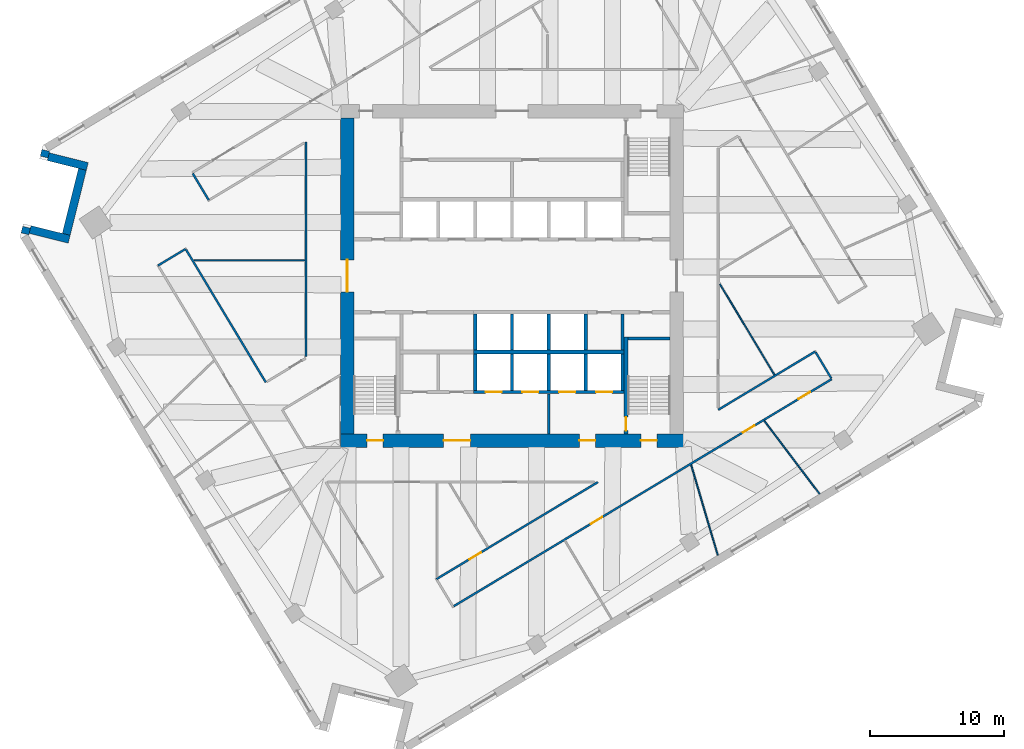
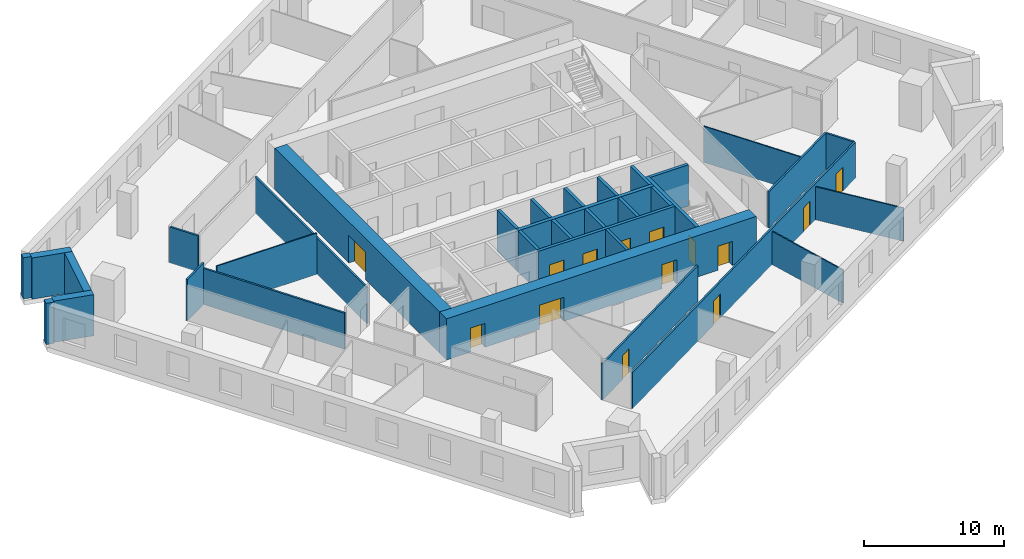
# One storey, part 7 of 14: 34 walls, 14 doors, 14 openings.
"""IFC4 building model written with IfcOpenShell, lengths in metres."""

from ifc_helpers import new_model, si_unit, direction, frame, frame_2d, origin, place, context, subcontext, project, spatial, rectangle, extrude, material, layer, layer_set, type_object, element, fill, save


model = new_model("IFC4")

# Units and contexts
model_context = context("Model", 3, precision=1e-05, world=origin(), true_north=direction((0.0, 1.0)))
body_context = subcontext(model_context, "Body", "Model", "MODEL_VIEW")
ifc_project = project(units=[si_unit("LENGTHUNIT", "METRE"), si_unit("AREAUNIT", "SQUARE_METRE"), si_unit("VOLUMEUNIT", "CUBIC_METRE"), si_unit("PLANEANGLEUNIT", "RADIAN"), si_unit("MASSUNIT", "GRAM", prefix="KILO")], contexts=[model_context])

# Site, building, storey
site_placement = place(None, origin())
site = spatial("IfcSite", under=ifc_project, at=site_placement, CompositionType="ELEMENT")
building_placement = place(site_placement, origin())
building = spatial("IfcBuilding", under=site, at=building_placement, Name="Dilmun Exchange Tower", CompositionType="ELEMENT")
storey_placement = place(building_placement, frame((0.0, 0.0, 147.699951171875)))
storey = spatial("IfcBuildingStorey", under=building, at=storey_placement, Name="L34", CompositionType="ELEMENT", Elevation=147.699951171875)

# Walls
ifc_material_1 = material(Name="Concrete C40/50", Category="concrete")
ifc_layer_1 = layer(ifc_material_1, 0.199951171875)
ifc_layer_set_1 = layer_set([ifc_layer_1], Name="Concrete C40/50")
wall_type_1 = type_object("IfcWallType", Name="Core partition wall 200", PredefinedType="PARTITIONING", material=ifc_layer_set_1)
wall_1_placement = place(storey_placement, frame((2.75, -11.794921875, 0.0), z_axis=(0.0, 0.0, 1.0), x_axis=(0.0, 1.0, 0.0)))
element("IfcWall", 1, at=wall_1_placement, inside=storey, type_object=wall_type_1, Name="L34 core partition wall 01", PredefinedType="PARTITIONING", context=body_context, shape_type="SweptSolid", body=[
    extrude(rectangle(XDim=2.989990234375, YDim=0.199951171875, at=frame_2d((1.4951171875, 0.0))), origin(), (0.0, 0.0, 1.0), 3.60009765625),
])
ifc_layer_2 = layer(ifc_material_1, 0.25)
ifc_layer_set_2 = layer_set([ifc_layer_2], Name="Concrete C40/50")
wall_type_2 = type_object("IfcWallType", Name="Core partition wall 250", PredefinedType="PARTITIONING", material=ifc_layer_set_2)
wall_2_placement = place(storey_placement, frame((8.25, -5.544921875, 0.0), z_axis=(0.0, 0.0, 1.0), x_axis=(0.0, 1.0, 0.0)))
element("IfcWall", 2, at=wall_2_placement, inside=storey, type_object=wall_type_2, Name="L34 core partition wall 07", PredefinedType="PARTITIONING", context=body_context, shape_type="SweptSolid", body=[
    extrude(rectangle(XDim=2.68994140625, YDim=0.25, at=frame_2d((1.344970703125, 0.0))), origin(), (0.0, 0.0, 1.0), 3.60009765625),
])

# Wall, openings, doors
ifc_material_2 = material(Name="Concrete C70/85", Category="concrete")
ifc_layer_3 = layer(ifc_material_2, 1.0)
ifc_layer_set_3 = layer_set([ifc_layer_3], Name="Concrete C70/85")
wall_type_3 = type_object("IfcWallType", Name="Core shear wall 1000 Concrete C70/85", PredefinedType="SHEAR", material=ifc_layer_set_3)
wall_3_placement = place(storey_placement, frame((-12.800048828125, -12.300048828125, 0.0), z_axis=(0.0, 0.0, 1.0), x_axis=(1.0, 0.0, 0.0)))
wall_3 = element("IfcWall", 3, at=wall_3_placement, inside=storey, type_object=wall_type_3, Name="L34 core shear wall S", PredefinedType="SHEAR", context=body_context, shape_type="SweptSolid", body=[
    extrude(rectangle(XDim=25.60009765625, YDim=1.0, at=frame_2d((12.800048828125, 0.0))), origin(), (0.0, 0.0, 1.0), 3.60009765625),
])
opening_1_placement = place(wall_3_placement, frame((7.699951171875, 0.0, 0.0)))
opening_1 = element("IfcOpeningElement", 4, at=opening_1_placement, cuts=wall_3, Name="Opening CD2", PredefinedType="OPENING", context=body_context, shape_type="SweptSolid", body=[
    extrude(rectangle(XDim=2.0, YDim=2.10009765625, at=frame_2d((1.0, 1.050048828125))), frame((0.0, 0.510009765625, 0.0), z_axis=(0.0, -1.0, 0.0), x_axis=(1.0, 0.0, 0.0)), (0.0, 0.0, 1.0), 1.02001953125),
])
opening_2_placement = place(wall_3_placement, frame((17.824951171875, 0.0, 0.0)))
opening_2 = element("IfcOpeningElement", 5, at=opening_2_placement, cuts=wall_3, Name="Opening CD3", PredefinedType="OPENING", context=body_context, shape_type="SweptSolid", body=[
    extrude(rectangle(XDim=1.199951171875, YDim=2.10009765625, at=frame_2d((0.60009765625, 1.050048828125))), frame((0.0, 0.510009765625, 0.0), z_axis=(0.0, -1.0, 0.0), x_axis=(1.0, 0.0, 0.0)), (0.0, 0.0, 1.0), 1.02001953125),
])
opening_3_placement = place(wall_3_placement, frame((1.97509765625, 0.0, 0.0)))
opening_3 = element("IfcOpeningElement", 6, at=opening_3_placement, cuts=wall_3, Name="Opening CD3", PredefinedType="OPENING", context=body_context, shape_type="SweptSolid", body=[
    extrude(rectangle(XDim=1.199951171875, YDim=2.10009765625, at=frame_2d((0.60009765625, 1.050048828125))), frame((0.0, 0.510009765625, 0.0), z_axis=(0.0, -1.0, 0.0), x_axis=(1.0, 0.0, 0.0)), (0.0, 0.0, 1.0), 1.02001953125),
])
opening_4_placement = place(wall_3_placement, frame((22.425048828125, 0.0, 0.0)))
opening_4 = element("IfcOpeningElement", 7, at=opening_4_placement, cuts=wall_3, Name="Opening CD3", PredefinedType="OPENING", context=body_context, shape_type="SweptSolid", body=[
    extrude(rectangle(XDim=1.199951171875, YDim=2.10009765625, at=frame_2d((0.60009765625, 1.050048828125))), frame((0.0, 0.510009765625, 0.0), z_axis=(0.0, -1.0, 0.0), x_axis=(1.0, 0.0, 0.0)), (0.0, 0.0, 1.0), 1.02001953125),
])
ifc_material_3 = material(Name="Fire-rated steel door set", Category="steel")
door_type_1 = type_object("IfcDoorType", Name="Core service door 2000x2100", OperationType="DOUBLE_DOOR_DOUBLE_SWING", PredefinedType="DOOR", material=ifc_material_3)
door_1_placement = place(opening_1_placement, origin())
door_1 = element("IfcDoor", 8, at=door_1_placement, inside=storey, type_object=door_type_1, Name="L34 door South service lobby", OperationType="SINGLE_SWING_LEFT", OverallHeight=2.10009765625, OverallWidth=2.0, PredefinedType="DOOR", context=body_context, shape_type="SweptSolid", body=[
    extrude(rectangle(XDim=2.0, YDim=2.10009765625, at=frame_2d((1.0, 1.050048828125))), frame((0.0, 0.02490234375, 0.0), z_axis=(0.0, -1.0, 0.0), x_axis=(1.0, 0.0, 0.0)), (0.0, 0.0, 1.0), 0.050048828125),
])
fill(opening_1, door_1)
door_type_2 = type_object("IfcDoorType", Name="Stair exit door 1200x2100", OperationType="SINGLE_SWING_LEFT", PredefinedType="DOOR", material=ifc_material_3)
door_2_placement = place(opening_2_placement, origin())
door_2 = element("IfcDoor", 9, at=door_2_placement, inside=storey, type_object=door_type_2, Name="L34 door Fire-fighting lobby", OperationType="SINGLE_SWING_LEFT", OverallHeight=2.10009765625, OverallWidth=1.199951171875, PredefinedType="DOOR", context=body_context, shape_type="SweptSolid", body=[
    extrude(rectangle(XDim=1.199951171875, YDim=2.10009765625, at=frame_2d((0.60009765625, 1.050048828125))), frame((0.0, 0.02490234375, 0.0), z_axis=(0.0, -1.0, 0.0), x_axis=(1.0, 0.0, 0.0)), (0.0, 0.0, 1.0), 0.050048828125),
])
fill(opening_2, door_2)
door_3_placement = place(opening_3_placement, origin())
door_3 = element("IfcDoor", 10, at=door_3_placement, inside=storey, type_object=door_type_2, Name="L34 door Stair ST2", OperationType="SINGLE_SWING_LEFT", OverallHeight=2.10009765625, OverallWidth=1.199951171875, PredefinedType="DOOR", context=body_context, shape_type="SweptSolid", body=[
    extrude(rectangle(XDim=1.199951171875, YDim=2.10009765625, at=frame_2d((0.60009765625, 1.050048828125))), frame((0.0, 0.02490234375, 0.0), z_axis=(0.0, -1.0, 0.0), x_axis=(1.0, 0.0, 0.0)), (0.0, 0.0, 1.0), 0.050048828125),
])
fill(opening_3, door_3)
door_4_placement = place(opening_4_placement, origin())
door_4 = element("IfcDoor", 11, at=door_4_placement, inside=storey, type_object=door_type_2, Name="L34 door Stair ST3", OperationType="SINGLE_SWING_LEFT", OverallHeight=2.10009765625, OverallWidth=1.199951171875, PredefinedType="DOOR", context=body_context, shape_type="SweptSolid", body=[
    extrude(rectangle(XDim=1.199951171875, YDim=2.10009765625, at=frame_2d((0.60009765625, 1.050048828125))), frame((0.0, 0.02490234375, 0.0), z_axis=(0.0, -1.0, 0.0), x_axis=(1.0, 0.0, 0.0)), (0.0, 0.0, 1.0), 0.050048828125),
])
fill(opening_4, door_4)

# Wall, opening, door
wall_4_placement = place(storey_placement, frame((-12.300048828125, -11.800048828125, 0.0), z_axis=(0.0, 0.0, 1.0), x_axis=(0.0, 1.0, 0.0)))
wall_4 = element("IfcWall", 12, at=wall_4_placement, inside=storey, type_object=wall_type_3, Name="L34 core shear wall W", PredefinedType="SHEAR", context=body_context, shape_type="SweptSolid", body=[
    extrude(rectangle(XDim=23.60009765625, YDim=1.0, at=frame_2d((11.800048828125, 0.0))), origin(), (0.0, 0.0, 1.0), 3.60009765625),
])
opening_5_placement = place(wall_4_placement, frame((10.60009765625, 0.0, 0.0)))
opening_5 = element("IfcOpeningElement", 13, at=opening_5_placement, cuts=wall_4, Name="Opening CD1", PredefinedType="OPENING", context=body_context, shape_type="SweptSolid", body=[
    extrude(rectangle(XDim=2.39990234375, YDim=2.39990234375, at=frame_2d((1.199951171875, 1.199951171875))), frame((0.0, 0.510009765625, 0.0), z_axis=(0.0, -1.0, 0.0), x_axis=(1.0, 0.0, 0.0)), (0.0, 0.0, 1.0), 1.02001953125),
])
door_type_3 = type_object("IfcDoorType", Name="Core lobby door 2400x2400", OperationType="DOUBLE_DOOR_DOUBLE_SWING", PredefinedType="DOOR", material=ifc_material_3)
door_5_placement = place(opening_5_placement, origin())
door_5 = element("IfcDoor", 14, at=door_5_placement, inside=storey, type_object=door_type_3, Name="L34 door Central lift lobby", OperationType="SINGLE_SWING_LEFT", OverallHeight=2.39990234375, OverallWidth=2.39990234375, PredefinedType="DOOR", context=body_context, shape_type="SweptSolid", body=[
    extrude(rectangle(XDim=2.39990234375, YDim=2.39990234375, at=frame_2d((1.199951171875, 1.199951171875))), frame((0.0, 0.02490234375, 0.0), z_axis=(0.0, -1.0, 0.0), x_axis=(1.0, 0.0, 0.0)), (0.0, 0.0, 1.0), 0.050048828125),
])
fill(opening_5, door_5)

# Walls
ifc_material_4 = material(Name="Corridor wall 150")
ifc_layer_4 = layer(ifc_material_4, 0.14990234375)
ifc_layer_set_4 = layer_set([ifc_layer_4], Name="Corridor wall 150")
wall_type_4 = type_object("IfcWallType", Name="Corridor wall 150", PredefinedType="PARTITIONING", material=ifc_layer_set_4)
wall_5_placement = place(storey_placement, frame((-26.427001953125, 0.77490234375, 0.0), z_axis=(0.0, 0.0, 1.0), x_axis=(0.857133645358, 0.515094082664, 0.0)))
element("IfcWall", 15, at=wall_5_placement, inside=storey, type_object=wall_type_4, Name="Corridor wall", PredefinedType="PARTITIONING", context=body_context, shape_type="SweptSolid", body=[
    extrude(rectangle(XDim=2.399658203125, YDim=0.14990234375, at=frame_2d((1.19970703125, 0.0))), origin(), (0.0, 0.0, 1.0), 3.60009765625),
])
wall_6_placement = place(storey_placement, frame((-24.331298828125, 1.94677734375, 0.0), z_axis=(0.0, 0.0, 1.0), x_axis=(0.51502118809, -0.857177447101, 0.0)))
element("IfcWall", 16, at=wall_6_placement, inside=storey, type_object=wall_type_4, Name="Corridor wall", PredefinedType="PARTITIONING", context=body_context, shape_type="SweptSolid", body=[
    extrude(rectangle(XDim=11.545654296875, YDim=0.14990234375, at=frame_2d((5.77294921875, 0.0))), origin(), (0.0, 0.0, 1.0), 3.150146484375),
])
wall_7_placement = place(storey_placement, frame((-23.83740234375, 7.642578125, 0.0), z_axis=(0.0, 0.0, 1.0), x_axis=(0.514912515352, -0.857242731981, 0.0)))
element("IfcWall", 17, at=wall_7_placement, inside=storey, type_object=wall_type_4, Name="Corridor wall", PredefinedType="PARTITIONING", context=body_context, shape_type="SweptSolid", body=[
    extrude(rectangle(XDim=2.32568359375, YDim=0.14990234375, at=frame_2d((1.162841796875, 0.0))), origin(), (0.0, 0.0, 1.0), 3.150146484375),
])
wall_8_placement = place(storey_placement, frame((-15.39990234375, -6.0234375, 0.0), z_axis=(0.0, 0.0, 1.0), x_axis=(0.0, 1.0, 0.0)))
element("IfcWall", 18, at=wall_8_placement, inside=storey, type_object=wall_type_4, Name="Corridor wall", PredefinedType="PARTITIONING", context=body_context, shape_type="SweptSolid", body=[
    extrude(rectangle(XDim=16.0234375, YDim=0.14990234375, at=frame_2d((8.01171875, 0.0))), origin(), (0.0, 0.0, 1.0), 3.150146484375),
])

# Wall, opening, door
wall_9_placement = place(storey_placement, frame((-5.64111328125, -22.64208984375, 0.0), z_axis=(0.0, 0.0, 1.0), x_axis=(0.857171047011, 0.515031839954, 0.0)))
wall_9 = element("IfcWall", 19, at=wall_9_placement, inside=storey, type_object=wall_type_4, Name="Corridor wall", PredefinedType="PARTITIONING", context=body_context, shape_type="SweptSolid", body=[
    extrude(rectangle(XDim=14.0615234375, YDim=0.14990234375, at=frame_2d((7.03076171875, 0.0))), origin(), (0.0, 0.0, 1.0), 3.150146484375),
])
opening_6_placement = place(wall_9_placement, frame((2.867431640625, 0.0, 0.0)))
opening_6 = element("IfcOpeningElement", 20, at=opening_6_placement, cuts=wall_9, Name="Opening TF34-D11", PredefinedType="OPENING", context=body_context, shape_type="SweptSolid", body=[
    extrude(rectangle(XDim=1.0, YDim=2.10009765625, at=frame_2d((0.5, 1.050048828125))), frame((0.0, 0.0849609375, 0.0), z_axis=(0.0, -1.0, 0.0), x_axis=(1.0, 0.0, 0.0)), (0.0, 0.0, 1.0), 0.169921875),
])
ifc_material_5 = material(Name="Fire door 1000 x 2100")
door_type_4 = type_object("IfcDoorType", Name="Fire door 1000 x 2100", OperationType="NOTDEFINED", PredefinedType="DOOR", material=ifc_material_5)
door_6_placement = place(opening_6_placement, origin())
door_6 = element("IfcDoor", 21, at=door_6_placement, inside=storey, type_object=door_type_4, Name="Door TF34-D11", OperationType="SINGLE_SWING_LEFT", OverallHeight=2.10009765625, OverallWidth=1.0, PredefinedType="DOOR", context=body_context, shape_type="SweptSolid", body=[
    extrude(rectangle(XDim=1.0, YDim=2.10009765625, at=frame_2d((0.5, 1.050048828125))), frame((0.0, 0.02490234375, 0.0), z_axis=(0.0, -1.0, 0.0), x_axis=(1.0, 0.0, 0.0)), (0.0, 0.0, 1.0), 0.050048828125),
])
fill(opening_6, door_6)

# Wall, openings, doors
wall_10_placement = place(storey_placement, frame((-4.3408203125, -24.661376953125, 0.0), z_axis=(0.0, 0.0, 1.0), x_axis=(0.85716751976, 0.515037710336, 0.0)))
wall_10 = element("IfcWall", 22, at=wall_10_placement, inside=storey, type_object=wall_type_4, Name="Corridor wall", PredefinedType="PARTITIONING", context=body_context, shape_type="SweptSolid", body=[
    extrude(rectangle(XDim=32.918701171875, YDim=0.14990234375, at=frame_2d((16.45947265625, 0.0))), origin(), (0.0, 0.0, 1.0), 3.150146484375),
])
opening_7_placement = place(wall_10_placement, frame((11.932373046875, 0.0, 0.0)))
opening_7 = element("IfcOpeningElement", 23, at=opening_7_placement, cuts=wall_10, Name="Opening TF34-D16", PredefinedType="OPENING", context=body_context, shape_type="SweptSolid", body=[
    extrude(rectangle(XDim=1.0, YDim=2.10009765625, at=frame_2d((0.5, 1.050048828125))), frame((0.0, 0.0849609375, 0.0), z_axis=(0.0, -1.0, 0.0), x_axis=(1.0, 0.0, 0.0)), (0.0, 0.0, 1.0), 0.169921875),
])
opening_8_placement = place(wall_10_placement, frame((25.1796875, 0.0, 0.0)))
opening_8 = element("IfcOpeningElement", 24, at=opening_8_placement, cuts=wall_10, Name="Opening TF34-D19", PredefinedType="OPENING", context=body_context, shape_type="SweptSolid", body=[
    extrude(rectangle(XDim=1.0, YDim=2.10009765625, at=frame_2d((0.5, 1.050048828125))), frame((0.0, 0.0849609375, 0.0), z_axis=(0.0, -1.0, 0.0), x_axis=(1.0, 0.0, 0.0)), (0.0, 0.0, 1.0), 0.169921875),
])
opening_9_placement = place(wall_10_placement, frame((30.03466796875, 0.0, 0.0)))
opening_9 = element("IfcOpeningElement", 25, at=opening_9_placement, cuts=wall_10, Name="Opening TF34-D24", PredefinedType="OPENING", context=body_context, shape_type="SweptSolid", body=[
    extrude(rectangle(XDim=1.0, YDim=2.10009765625, at=frame_2d((0.5, 1.050048828125))), frame((0.0, 0.0849609375, 0.0), z_axis=(0.0, -1.0, 0.0), x_axis=(1.0, 0.0, 0.0)), (0.0, 0.0, 1.0), 0.169921875),
])
door_7_placement = place(opening_7_placement, frame((1.0, 0.0, 0.0), z_axis=(0.0, 0.0, 1.0), x_axis=(-1.0, 0.0, 0.0)))
door_7 = element("IfcDoor", 26, at=door_7_placement, inside=storey, type_object=door_type_4, Name="Door TF34-D16", OperationType="SINGLE_SWING_RIGHT", OverallHeight=2.10009765625, OverallWidth=1.0, PredefinedType="DOOR", context=body_context, shape_type="SweptSolid", body=[
    extrude(rectangle(XDim=1.0, YDim=2.10009765625, at=frame_2d((0.5, 1.050048828125))), frame((0.0, 0.02490234375, 0.0), z_axis=(0.0, -1.0, 0.0), x_axis=(1.0, 0.0, 0.0)), (0.0, 0.0, 1.0), 0.050048828125),
])
fill(opening_7, door_7)
door_8_placement = place(opening_8_placement, frame((1.0, 0.0, 0.0), z_axis=(0.0, 0.0, 1.0), x_axis=(-1.0, 0.0, 0.0)))
door_8 = element("IfcDoor", 27, at=door_8_placement, inside=storey, type_object=door_type_4, Name="Door TF34-D19", OperationType="SINGLE_SWING_LEFT", OverallHeight=2.10009765625, OverallWidth=1.0, PredefinedType="DOOR", context=body_context, shape_type="SweptSolid", body=[
    extrude(rectangle(XDim=1.0, YDim=2.10009765625, at=frame_2d((0.5, 1.050048828125))), frame((0.0, 0.02490234375, 0.0), z_axis=(0.0, -1.0, 0.0), x_axis=(1.0, 0.0, 0.0)), (0.0, 0.0, 1.0), 0.050048828125),
])
fill(opening_8, door_8)
door_9_placement = place(opening_9_placement, frame((1.0, 0.0, 0.0), z_axis=(0.0, 0.0, 1.0), x_axis=(-1.0, 0.0, 0.0)))
door_9 = element("IfcDoor", 28, at=door_9_placement, inside=storey, type_object=door_type_4, Name="Door TF34-D24", OperationType="SINGLE_SWING_RIGHT", OverallHeight=2.10009765625, OverallWidth=1.0, PredefinedType="DOOR", context=body_context, shape_type="SweptSolid", body=[
    extrude(rectangle(XDim=1.0, YDim=2.10009765625, at=frame_2d((0.5, 1.050048828125))), frame((0.0, 0.02490234375, 0.0), z_axis=(0.0, -1.0, 0.0), x_axis=(1.0, 0.0, 0.0)), (0.0, 0.0, 1.0), 0.050048828125),
])
fill(opening_9, door_9)

# Walls
wall_11_placement = place(storey_placement, frame((15.39990234375, -10.0, 0.0), z_axis=(0.0, 0.0, 1.0), x_axis=(0.857122913924, 0.515111939705, 0.0)))
element("IfcWall", 29, at=wall_11_placement, inside=storey, type_object=wall_type_4, Name="Corridor wall", PredefinedType="PARTITIONING", context=body_context, shape_type="SweptSolid", body=[
    extrude(rectangle(XDim=8.44677734375, YDim=0.14990234375, at=frame_2d((4.223388671875, 0.0))), origin(), (0.0, 0.0, 1.0), 3.150146484375),
])
wall_12_placement = place(storey_placement, frame((22.6787109375, -5.71337890625, 0.0), z_axis=(0.0, 0.0, 1.0), x_axis=(0.514878598907, -0.857263103363, 0.0)))
element("IfcWall", 30, at=wall_12_placement, inside=storey, type_object=wall_type_4, Name="Corridor wall", PredefinedType="PARTITIONING", context=body_context, shape_type="SweptSolid", body=[
    extrude(rectangle(XDim=2.25048828125, YDim=0.14990234375, at=frame_2d((1.125244140625, 0.0))), origin(), (0.0, 0.0, 1.0), 3.150146484375),
])
ifc_layer_5 = layer(ifc_material_1, 0.300048828125)
ifc_layer_set_5 = layer_set([ifc_layer_5], Name="Concrete C40/50")
wall_type_5 = type_object("IfcWallType", Name="Lift shaft shared wall 300", PredefinedType="SOLIDWALL", material=ifc_layer_set_5)
wall_13_placement = place(storey_placement, frame((-2.875, -5.699951171875, 0.0), z_axis=(0.0, 0.0, 1.0), x_axis=(1.0, 0.0, 0.0)))
element("IfcWall", 31, at=wall_13_placement, inside=storey, type_object=wall_type_5, Name="L34 lift shaft rear wall S", PredefinedType="SOLIDWALL", context=body_context, shape_type="SweptSolid", body=[
    extrude(rectangle(XDim=11.25, YDim=0.300048828125, at=frame_2d((5.625, 0.0))), origin(), (0.0, 0.0, 1.0), 3.60009765625),
])
ifc_layer_6 = layer(ifc_material_1, 0.25)
ifc_layer_set_6 = layer_set([ifc_layer_6], Name="Concrete C40/50")
wall_type_6 = type_object("IfcWallType", Name="Lift shaft wall 250", PredefinedType="SOLIDWALL", material=ifc_layer_set_6)
for number, where, z_axis, x_axis, name in (
    (32, (-2.75, -5.550048828125, 0.0), (0.0, 0.0, 1.0), (0.0, 1.0, 0.0), "L34 lift shaft divider S12"),
    (33, (0.0, -5.550048828125, 0.0), (0.0, 0.0, 1.0), (0.0, 1.0, 0.0), "L34 lift shaft divider S13"),
    (34, (2.75, -5.550048828125, 0.0), (0.0, 0.0, 1.0), (0.0, 1.0, 0.0), "L34 lift shaft divider S14"),
    (35, (5.5, -5.550048828125, 0.0), (0.0, 0.0, 1.0), (0.0, 1.0, 0.0), "L34 lift shaft divider S15"),
):
    element("IfcWall", number, at=place(storey_placement, frame(where, z_axis=z_axis, x_axis=x_axis)), inside=storey, type_object=wall_type_6, Name=name, PredefinedType="SOLIDWALL", context=body_context, shape_type="SweptSolid", body=[
        extrude(rectangle(XDim=2.699951171875, YDim=0.25, at=frame_2d((1.35009765625, 0.0))), origin(), (0.0, 0.0, 1.0), 3.60009765625),
    ])

# Wall, openings, doors
wall_14_placement = place(storey_placement, frame((-2.875, -8.675048828125, 0.0), z_axis=(0.0, 0.0, 1.0), x_axis=(1.0, 0.0, 0.0)))
wall_14 = element("IfcWall", 36, at=wall_14_placement, inside=storey, type_object=wall_type_6, Name="L34 lift shaft front wall S2", PredefinedType="SOLIDWALL", context=body_context, shape_type="SweptSolid", body=[
    extrude(rectangle(XDim=11.25, YDim=0.25, at=frame_2d((5.625, 0.0))), origin(), (0.0, 0.0, 1.0), 3.60009765625),
])
opening_10_placement = place(wall_14_placement, frame((0.89990234375, 0.0, 0.0)))
opening_10 = element("IfcOpeningElement", 37, at=opening_10_placement, cuts=wall_14, Name="Opening LD", PredefinedType="OPENING", context=body_context, shape_type="SweptSolid", body=[
    extrude(rectangle(XDim=1.199951171875, YDim=2.10009765625, at=frame_2d((0.60009765625, 1.050048828125))), frame((0.0, 0.135009765625, 0.0), z_axis=(0.0, -1.0, 0.0), x_axis=(1.0, 0.0, 0.0)), (0.0, 0.0, 1.0), 0.27001953125),
])
opening_11_placement = place(wall_14_placement, frame((3.64990234375, 0.0, 0.0)))
opening_11 = element("IfcOpeningElement", 38, at=opening_11_placement, cuts=wall_14, Name="Opening LD", PredefinedType="OPENING", context=body_context, shape_type="SweptSolid", body=[
    extrude(rectangle(XDim=1.199951171875, YDim=2.10009765625, at=frame_2d((0.60009765625, 1.050048828125))), frame((0.0, 0.135009765625, 0.0), z_axis=(0.0, -1.0, 0.0), x_axis=(1.0, 0.0, 0.0)), (0.0, 0.0, 1.0), 0.27001953125),
])
opening_12_placement = place(wall_14_placement, frame((6.39990234375, 0.0, 0.0)))
opening_12 = element("IfcOpeningElement", 39, at=opening_12_placement, cuts=wall_14, Name="Opening LD", PredefinedType="OPENING", context=body_context, shape_type="SweptSolid", body=[
    extrude(rectangle(XDim=1.199951171875, YDim=2.10009765625, at=frame_2d((0.60009765625, 1.050048828125))), frame((0.0, 0.135009765625, 0.0), z_axis=(0.0, -1.0, 0.0), x_axis=(1.0, 0.0, 0.0)), (0.0, 0.0, 1.0), 0.27001953125),
])
opening_13_placement = place(wall_14_placement, frame((9.14990234375, 0.0, 0.0)))
opening_13 = element("IfcOpeningElement", 40, at=opening_13_placement, cuts=wall_14, Name="Opening LD", PredefinedType="OPENING", context=body_context, shape_type="SweptSolid", body=[
    extrude(rectangle(XDim=1.199951171875, YDim=2.10009765625, at=frame_2d((0.60009765625, 1.050048828125))), frame((0.0, 0.135009765625, 0.0), z_axis=(0.0, -1.0, 0.0), x_axis=(1.0, 0.0, 0.0)), (0.0, 0.0, 1.0), 0.27001953125),
])
door_type_5 = type_object("IfcDoorType", Name="Lift landing door 1200x2100", OperationType="DOUBLE_DOOR_SLIDING", PredefinedType="DOOR", material=ifc_material_3)
door_10_placement = place(opening_10_placement, origin())
door_10 = element("IfcDoor", 41, at=door_10_placement, inside=storey, type_object=door_type_5, Name="L34 landing door SV1", OperationType="DOUBLE_DOOR_SLIDING", OverallHeight=2.10009765625, OverallWidth=1.199951171875, PredefinedType="DOOR", context=body_context, shape_type="SweptSolid", body=[
    extrude(rectangle(XDim=1.199951171875, YDim=2.10009765625, at=frame_2d((0.60009765625, 1.050048828125))), frame((0.0, 0.02490234375, 0.0), z_axis=(0.0, -1.0, 0.0), x_axis=(1.0, 0.0, 0.0)), (0.0, 0.0, 1.0), 0.050048828125),
])
fill(opening_10, door_10)
door_11_placement = place(opening_11_placement, origin())
door_11 = element("IfcDoor", 42, at=door_11_placement, inside=storey, type_object=door_type_5, Name="L34 landing door SV2", OperationType="DOUBLE_DOOR_SLIDING", OverallHeight=2.10009765625, OverallWidth=1.199951171875, PredefinedType="DOOR", context=body_context, shape_type="SweptSolid", body=[
    extrude(rectangle(XDim=1.199951171875, YDim=2.10009765625, at=frame_2d((0.60009765625, 1.050048828125))), frame((0.0, 0.02490234375, 0.0), z_axis=(0.0, -1.0, 0.0), x_axis=(1.0, 0.0, 0.0)), (0.0, 0.0, 1.0), 0.050048828125),
])
fill(opening_11, door_11)
door_12_placement = place(opening_12_placement, origin())
door_12 = element("IfcDoor", 43, at=door_12_placement, inside=storey, type_object=door_type_5, Name="L34 landing door FF1", OperationType="DOUBLE_DOOR_SLIDING", OverallHeight=2.10009765625, OverallWidth=1.199951171875, PredefinedType="DOOR", context=body_context, shape_type="SweptSolid", body=[
    extrude(rectangle(XDim=1.199951171875, YDim=2.10009765625, at=frame_2d((0.60009765625, 1.050048828125))), frame((0.0, 0.02490234375, 0.0), z_axis=(0.0, -1.0, 0.0), x_axis=(1.0, 0.0, 0.0)), (0.0, 0.0, 1.0), 0.050048828125),
])
fill(opening_12, door_12)
door_13_placement = place(opening_13_placement, origin())
door_13 = element("IfcDoor", 44, at=door_13_placement, inside=storey, type_object=door_type_5, Name="L34 landing door FF2", OperationType="DOUBLE_DOOR_SLIDING", OverallHeight=2.10009765625, OverallWidth=1.199951171875, PredefinedType="DOOR", context=body_context, shape_type="SweptSolid", body=[
    extrude(rectangle(XDim=1.199951171875, YDim=2.10009765625, at=frame_2d((0.60009765625, 1.050048828125))), frame((0.0, 0.02490234375, 0.0), z_axis=(0.0, -1.0, 0.0), x_axis=(1.0, 0.0, 0.0)), (0.0, 0.0, 1.0), 0.050048828125),
])
fill(opening_13, door_13)

# Walls
for number, where, z_axis, x_axis, name in (
    (45, (-2.75, -8.550048828125, 0.0), (0.0, 0.0, 1.0), (0.0, 1.0, 0.0), "L34 lift shaft divider S22"),
    (46, (0.0, -8.550048828125, 0.0), (0.0, 0.0, 1.0), (0.0, 1.0, 0.0), "L34 lift shaft divider S23"),
    (47, (2.75, -8.550048828125, 0.0), (0.0, 0.0, 1.0), (0.0, 1.0, 0.0), "L34 lift shaft divider S24"),
    (48, (5.5, -8.550048828125, 0.0), (0.0, 0.0, 1.0), (0.0, 1.0, 0.0), "L34 lift shaft divider S25"),
    (49, (8.25, -8.550048828125, 0.0), (0.0, 0.0, 1.0), (0.0, 1.0, 0.0), "L34 lift shaft divider S26"),
):
    element("IfcWall", number, at=place(storey_placement, frame(where, z_axis=z_axis, x_axis=x_axis)), inside=storey, type_object=wall_type_6, Name=name, PredefinedType="SOLIDWALL", context=body_context, shape_type="SweptSolid", body=[
        extrude(rectangle(XDim=2.699951171875, YDim=0.25, at=frame_2d((1.35009765625, 0.0))), origin(), (0.0, 0.0, 1.0), 3.60009765625),
    ])
ifc_material_6 = material(Name="Partition 100")
ifc_layer_7 = layer(ifc_material_6, 0.10009765625)
ifc_layer_set_7 = layer_set([ifc_layer_7], Name="Partition 100")
wall_type_7 = type_object("IfcWallType", Name="Partition 100", PredefinedType="PARTITIONING", material=ifc_layer_set_7)
wall_15_placement = place(storey_placement, frame((-23.743408203125, 1.1640625, 0.0), z_axis=(0.0, 0.0, 1.0), x_axis=(1.0, 0.0, 0.0)))
element("IfcWall", 50, at=wall_15_placement, inside=storey, type_object=wall_type_7, Name="Partition", PredefinedType="PARTITIONING", context=body_context, shape_type="SweptSolid", body=[
    extrude(rectangle(XDim=8.268310546875, YDim=0.10009765625, at=frame_2d((4.13427734375, 0.0))), origin(), (0.0, 0.0, 1.0), 3.60009765625),
])
wall_16_placement = place(storey_placement, frame((13.376708984375, -14.117919921875, 0.0), z_axis=(0.0, 0.0, 1.0), x_axis=(0.282991293252, -0.959122478072, 0.0)))
element("IfcWall", 51, at=wall_16_placement, inside=storey, type_object=wall_type_7, Name="Partition", PredefinedType="PARTITIONING", context=body_context, shape_type="SweptSolid", body=[
    extrude(rectangle(XDim=7.032958984375, YDim=0.10009765625, at=frame_2d((3.5166015625, 0.0))), origin(), (0.0, 0.0, 1.0), 2.900146484375),
])
wall_17_placement = place(storey_placement, frame((15.517822265625, -0.60107421875, 0.0), z_axis=(0.0, 0.0, 1.0), x_axis=(0.515094007399, -0.857133690588, 0.0)))
element("IfcWall", 52, at=wall_17_placement, inside=storey, type_object=wall_type_7, Name="Partition", PredefinedType="PARTITIONING", context=body_context, shape_type="SweptSolid", body=[
    extrude(rectangle(XDim=7.920166015625, YDim=0.10009765625, at=frame_2d((3.9599609375, 0.0))), origin(), (0.0, 0.0, 1.0), 3.150146484375),
])
wall_18_placement = place(storey_placement, frame((18.837646484375, -10.827392578125, 0.0), z_axis=(0.0, 0.0, 1.0), x_axis=(0.603408389403, -0.797432326657, 0.0)))
element("IfcWall", 53, at=wall_18_placement, inside=storey, type_object=wall_type_7, Name="Partition", PredefinedType="PARTITIONING", context=body_context, shape_type="SweptSolid", body=[
    extrude(rectangle(XDim=6.85400390625, YDim=0.10009765625, at=frame_2d((3.427001953125, 0.0))), origin(), (0.0, 0.0, 1.0), 2.900146484375),
])
ifc_material_7 = material(Name="Precast concrete C50/60", Category="concrete")
ifc_layer_8 = layer(ifc_material_7, 0.60009765625)
ifc_layer_set_8 = layer_set([ifc_layer_8], Name="Precast concrete C50/60")
wall_type_8 = type_object("IfcWallType", Name="Precast stone-clad wall 600", PredefinedType="STANDARD", material=ifc_layer_set_8)
wall_19_placement = place(storey_placement, frame((-34.8134765625, 9.3662109375, 0.0), z_axis=(0.0, 0.0, 1.0), x_axis=(-0.242086198947, -0.970254746074, 0.0)))
element("IfcWall", 54, at=wall_19_placement, inside=storey, type_object=wall_type_8, Name="Facade wall L34-04", PredefinedType="STANDARD", context=body_context, shape_type="SweptSolid", body=[
    extrude(rectangle(XDim=0.51123046875, YDim=0.60009765625, at=frame_2d((0.255615234375, 0.0))), origin(), (0.0, 0.0, 1.0), 3.60009765625),
])
wall_20_placement = place(storey_placement, frame((-34.6220703125, 8.894287109375, 0.0), z_axis=(0.0, 0.0, 1.0), x_axis=(0.970309818485, -0.241865367822, 0.0)))
element("IfcWall", 55, at=wall_20_placement, inside=storey, type_object=wall_type_8, Name="Facade wall L34-05", PredefinedType="STANDARD", context=body_context, shape_type="SweptSolid", body=[
    extrude(rectangle(XDim=3.0, YDim=0.60009765625, at=frame_2d((1.5, 0.0))), origin(), (0.0, 0.0, 1.0), 3.60009765625),
])
wall_21_placement = place(storey_placement, frame((-32.07470703125, 7.9501953125, 0.0), z_axis=(0.0, 0.0, 1.0), x_axis=(-0.241892195562, -0.970303130844, 0.0)))
element("IfcWall", 56, at=wall_21_placement, inside=storey, type_object=wall_type_8, Name="Facade wall L34-06", PredefinedType="STANDARD", context=body_context, shape_type="SweptSolid", body=[
    extrude(rectangle(XDim=5.0, YDim=0.60009765625, at=frame_2d((2.5, 0.0))), origin(), (0.0, 0.0, 1.0), 3.60009765625),
])
wall_22_placement = place(storey_placement, frame((-33.06591796875, 2.735107421875, 0.0), z_axis=(0.0, 0.0, 1.0), x_axis=(-0.970309818485, 0.241865367822, 0.0)))
element("IfcWall", 57, at=wall_22_placement, inside=storey, type_object=wall_type_8, Name="Facade wall L34-07", PredefinedType="STANDARD", context=body_context, shape_type="SweptSolid", body=[
    extrude(rectangle(XDim=3.0, YDim=0.60009765625, at=frame_2d((1.5, 0.0))), origin(), (0.0, 0.0, 1.0), 3.60009765625),
])
wall_23_placement = place(storey_placement, frame((-36.24365234375, 3.63037109375, 0.0), z_axis=(0.0, 0.0, 1.0), x_axis=(-0.241636616978, -0.970366809683, 0.0)))
element("IfcWall", 58, at=wall_23_placement, inside=storey, type_object=wall_type_8, Name="Facade wall L34-08", PredefinedType="STANDARD", context=body_context, shape_type="SweptSolid", body=[
    extrude(rectangle(XDim=0.51123046875, YDim=0.60009765625, at=frame_2d((0.255615234375, 0.0))), origin(), (0.0, 0.0, 1.0), 3.60009765625),
])
ifc_layer_9 = layer(ifc_material_1, 0.25)
ifc_layer_set_9 = layer_set([ifc_layer_9], Name="Concrete C40/50")
wall_type_9 = type_object("IfcWallType", Name="Stair end wall 250", PredefinedType="SOLIDWALL", material=ifc_layer_set_9)
wall_24_placement = place(storey_placement, frame((8.64990234375, -4.675048828125, 0.0), z_axis=(0.0, 0.0, 1.0), x_axis=(1.0, 0.0, 0.0)))
element("IfcWall", 59, at=wall_24_placement, inside=storey, type_object=wall_type_9, Name="L34 ST3 far wall", PredefinedType="SOLIDWALL", context=body_context, shape_type="SweptSolid", body=[
    extrude(rectangle(XDim=3.150146484375, YDim=0.25, at=frame_2d((1.5751953125, 0.0))), origin(), (0.0, 0.0, 1.0), 3.60009765625),
])

# Wall, opening, door
ifc_layer_10 = layer(ifc_material_1, 0.27490234375)
ifc_layer_set_10 = layer_set([ifc_layer_10], Name="Concrete C40/50")
wall_type_10 = type_object("IfcWallType", Name="Stair wall 275", PredefinedType="SOLIDWALL", material=ifc_layer_set_10)
wall_25_placement = place(storey_placement, frame((8.512451171875, -4.550048828125, 0.0), z_axis=(0.0, 0.0, 1.0), x_axis=(0.0, -1.0, 0.0)))
wall_25 = element("IfcWall", 60, at=wall_25_placement, inside=storey, type_object=wall_type_10, Name="L34 ST3 wall to lift block", PredefinedType="SOLIDWALL", context=body_context, shape_type="SweptSolid", body=[
    extrude(rectangle(XDim=7.25, YDim=0.27490234375, at=frame_2d((3.625, 0.0))), origin(), (0.0, 0.0, 1.0), 3.60009765625),
])
opening_14_placement = place(wall_25_placement, frame((6.0, 0.0, 0.0)))
opening_14 = element("IfcOpeningElement", 61, at=opening_14_placement, cuts=wall_25, Name="Opening CD4", PredefinedType="OPENING", context=body_context, shape_type="SweptSolid", body=[
    extrude(rectangle(XDim=1.0, YDim=2.10009765625, at=frame_2d((0.5, 1.050048828125))), frame((0.0, 0.1474609375, 0.0), z_axis=(0.0, -1.0, 0.0), x_axis=(1.0, 0.0, 0.0)), (0.0, 0.0, 1.0), 0.294921875),
])
door_type_6 = type_object("IfcDoorType", Name="Core room door 1000x2100", OperationType="SINGLE_SWING_LEFT", PredefinedType="DOOR", material=ifc_material_3)
door_14_placement = place(opening_14_placement, origin())
door_14 = element("IfcDoor", 62, at=door_14_placement, inside=storey, type_object=door_type_6, Name="L34 door ST3 from lobby", OperationType="SINGLE_SWING_LEFT", OverallHeight=2.10009765625, OverallWidth=1.0, PredefinedType="DOOR", context=body_context, shape_type="SweptSolid", body=[
    extrude(rectangle(XDim=1.0, YDim=2.10009765625, at=frame_2d((0.5, 1.050048828125))), frame((0.0, 0.02490234375, 0.0), z_axis=(0.0, -1.0, 0.0), x_axis=(1.0, 0.0, 0.0)), (0.0, 0.0, 1.0), 0.050048828125),
])
fill(opening_14, door_14)

save(model, "model.ifc")
